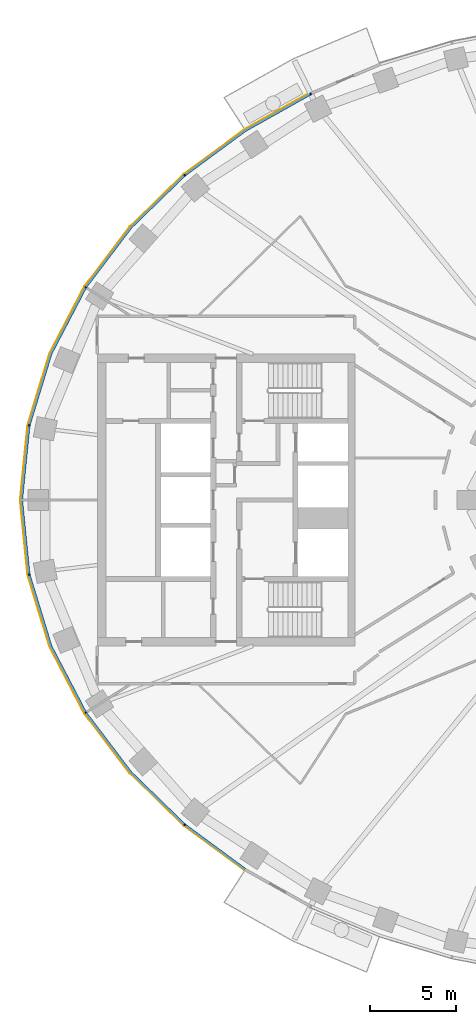
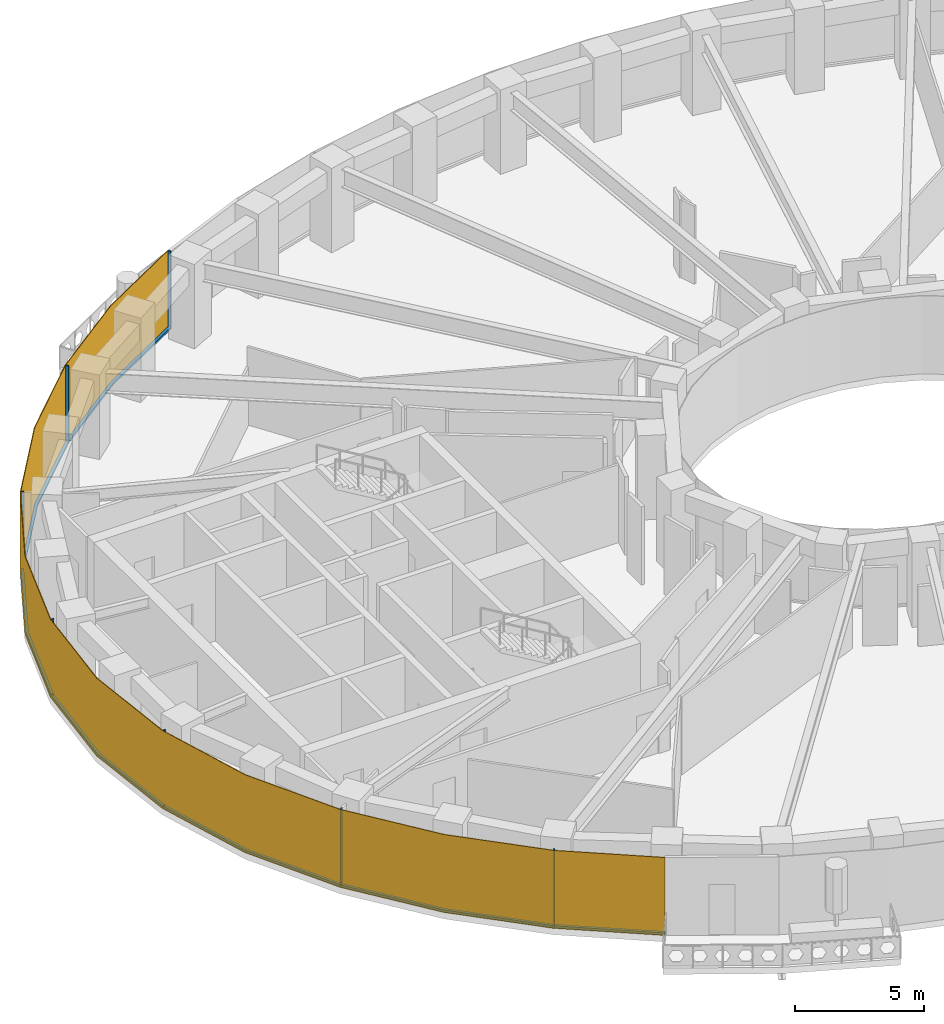
# One storey, part 8 of 15: 14 members, 1 curtain wall.
"""IFC4 building model written with IfcOpenShell, lengths in metres."""

from ifc_helpers import new_model, si_unit, direction, frame, origin, origin_2d, place, context, subcontext, project, spatial, polyline, rectangle, outline, extrude, material, layer, layer_set, material_profile, profile_set, type_object, element, aggregate, save


model = new_model("IFC4")

# Units and contexts
model_context = context("Model", 3, precision=1e-05, world=origin(), true_north=direction((0.0, 1.0)))
body_context = subcontext(model_context, "Body", "Model", "MODEL_VIEW")
ifc_project = project(units=[si_unit("LENGTHUNIT", "METRE"), si_unit("AREAUNIT", "SQUARE_METRE"), si_unit("VOLUMEUNIT", "CUBIC_METRE"), si_unit("PLANEANGLEUNIT", "RADIAN"), si_unit("MASSUNIT", "GRAM", prefix="KILO")], contexts=[model_context])

# Member
ifc_material_1 = material(Name="Aluminium 6063-T6 black anodised", Category="aluminium")
ifc_material_profile = material_profile(ifc_material_1, rectangle(XDim=0.1201171875, YDim=0.06005859375, at=origin_2d()), Name="120x60")
ifc_profile_set = profile_set([ifc_material_profile], Name="Aluminium 6063-T6 black anodised")
member_type_1 = type_object("IfcMemberType", Name="ENV-MULLION-A-120", PredefinedType="MULLION", material=ifc_profile_set)
site_placement = place(None, origin())
building_placement = place(site_placement, origin())
storey_placement = place(building_placement, frame((0.0, 0.0, 158.0)))
member_1_placement = place(storey_placement, frame((-19.06787109375, 23.6474609375, 0.0), z_axis=(0.0, 0.0, 1.0), x_axis=(0.439237769837, -0.898370848563, 0.0)))
member_1 = element("IfcMember", 1, at=member_1_placement, type_object=member_type_1, Name="Mullion A radial 17", PredefinedType="MULLION", context=body_context, shape_type="SweptSolid", body=[
    extrude(rectangle(XDim=0.1201171875, YDim=0.06005859375, at=origin_2d()), origin(), (0.0, 0.0, 1.0), 3.699951171875),
])

member_2_placement = place(storey_placement, frame((-26.403564453125, 18.9130859375, 0.0), z_axis=(0.0, 0.0, 1.0), x_axis=(0.646451313783, -0.762955240435, 0.0)))
member_2 = element("IfcMember", 2, at=member_2_placement, type_object=member_type_1, Name="Mullion A radial 19", PredefinedType="MULLION", context=body_context, shape_type="SweptSolid", body=[
    extrude(rectangle(XDim=0.1201171875, YDim=0.06005859375, at=origin_2d()), origin(), (0.0, 0.0, 1.0), 3.699951171875),
])

member_3_placement = place(storey_placement, frame((-32.177490234375, 12.385498046875, 0.0), z_axis=(0.0, 0.0, 1.0), x_axis=(0.844829880882, -0.53503501976, 0.0)))
member_3 = element("IfcMember", 3, at=member_3_placement, type_object=member_type_1, Name="Mullion A radial 21", PredefinedType="MULLION", context=body_context, shape_type="SweptSolid", body=[
    extrude(rectangle(XDim=0.1201171875, YDim=0.06005859375, at=origin_2d()), origin(), (0.0, 0.0, 1.0), 3.699951171875),
])

member_4_placement = place(storey_placement, frame((-35.470947265625, 4.340576171875, 0.0), z_axis=(0.0, 0.0, 1.0), x_axis=(0.980379083141, -0.19712141776, 0.0)))
member_4 = element("IfcMember", 4, at=member_4_placement, type_object=member_type_1, Name="Mullion A radial 23", PredefinedType="MULLION", context=body_context, shape_type="SweptSolid", body=[
    extrude(rectangle(XDim=0.1201171875, YDim=0.06005859375, at=origin_2d()), origin(), (0.0, 0.0, 1.0), 3.699951171875),
])

member_5_placement = place(storey_placement, frame((-35.470947265625, -4.340576171875, 0.0), z_axis=(0.0, 0.0, 1.0), x_axis=(0.980379083141, 0.19712141776, 0.0)))
member_5 = element("IfcMember", 5, at=member_5_placement, type_object=member_type_1, Name="Mullion A radial 25", PredefinedType="MULLION", context=body_context, shape_type="SweptSolid", body=[
    extrude(rectangle(XDim=0.1201171875, YDim=0.06005859375, at=origin_2d()), origin(), (0.0, 0.0, 1.0), 3.699951171875),
])

member_6_placement = place(storey_placement, frame((-32.177490234375, -12.385498046875, 0.0), z_axis=(0.0, 0.0, 1.0), x_axis=(0.844829880882, 0.53503501976, 0.0)))
member_6 = element("IfcMember", 6, at=member_6_placement, type_object=member_type_1, Name="Mullion A radial 27", PredefinedType="MULLION", context=body_context, shape_type="SweptSolid", body=[
    extrude(rectangle(XDim=0.1201171875, YDim=0.06005859375, at=origin_2d()), origin(), (0.0, 0.0, 1.0), 3.699951171875),
])

member_7_placement = place(storey_placement, frame((-26.403564453125, -18.9130859375, 0.0), z_axis=(0.0, 0.0, 1.0), x_axis=(0.646451313783, 0.762955240435, 0.0)))
member_7 = element("IfcMember", 7, at=member_7_placement, type_object=member_type_1, Name="Mullion A radial 29", PredefinedType="MULLION", context=body_context, shape_type="SweptSolid", body=[
    extrude(rectangle(XDim=0.1201171875, YDim=0.06005859375, at=origin_2d()), origin(), (0.0, 0.0, 1.0), 3.699951171875),
])

ifc_material_2 = material(Name="Aluminium 6063-T6 black anodised", Category="aluminium")
member_type_2 = type_object("IfcMemberType", Name="ENV-TRANSOM-A", PredefinedType="USERDEFINED", material=ifc_material_2)
member_8_placement = place(storey_placement, origin())
member_8 = element("IfcMember", 8, at=member_8_placement, type_object=member_type_2, Name="Transom A radial 17-19", ObjectType="TRANSOM", PredefinedType="USERDEFINED", context=body_context, shape_type="SweptSolid", body=[
    extrude(outline(polyline([(-19.11865234375, 23.687744140625), (-22.9150390625, 21.556884765625), (-26.419921875, 18.975341796875), (-26.342041015625, 18.883544921875), (-22.85009765625, 21.455810546875), (-19.06591796875, 23.57958984375), (-19.11865234375, 23.687744140625)])), origin(), (0.0, 0.0, 1.0), 0.10009765625),
])

member_9_placement = place(storey_placement, origin())
member_9 = element("IfcMember", 9, at=member_9_placement, type_object=member_type_2, Name="Transom A radial 19-21", ObjectType="TRANSOM", PredefinedType="USERDEFINED", context=body_context, shape_type="SweptSolid", body=[
    extrude(outline(polyline([(-26.46240234375, 18.939208984375), (-29.58349609375, 15.906982421875), (-32.211181640625, 12.43994140625), (-32.109375, 12.37548828125), (-29.493408203125, 15.8271484375), (-26.384765625, 18.847412109375), (-26.46240234375, 18.939208984375)])), origin(), (0.0, 0.0, 1.0), 0.10009765625),
])

member_10_placement = place(storey_placement, origin())
member_10 = element("IfcMember", 10, at=member_10_placement, type_object=member_type_2, Name="Transom A radial 21-23", ObjectType="TRANSOM", PredefinedType="USERDEFINED", context=body_context, shape_type="SweptSolid", body=[
    extrude(outline(polyline([(-32.240966796875, 12.392578125), (-34.251220703125, 8.53662109375), (-35.521484375, 4.379150390625), (-35.4033203125, 4.355224609375), (-34.139892578125, 8.490966796875), (-32.139404296875, 12.328369140625), (-32.240966796875, 12.392578125)])), origin(), (0.0, 0.0, 1.0), 0.10009765625),
])

member_11_placement = place(storey_placement, origin())
member_11 = element("IfcMember", 11, at=member_11_placement, type_object=member_type_2, Name="Transom A radial 23-25", ObjectType="TRANSOM", PredefinedType="USERDEFINED", context=body_context, shape_type="SweptSolid", body=[
    extrude(outline(polyline([(-35.532470703125, 4.324462890625), (-35.9677734375, 0.0), (-35.532470703125, -4.324462890625), (-35.414306640625, -4.30078125), (-35.84716796875, 0.0), (-35.414306640625, 4.30078125), (-35.532470703125, 4.324462890625)])), origin(), (0.0, 0.0, 1.0), 0.10009765625),
])

member_12_placement = place(storey_placement, origin())
member_12 = element("IfcMember", 12, at=member_12_placement, type_object=member_type_2, Name="Transom A radial 25-27", ObjectType="TRANSOM", PredefinedType="USERDEFINED", context=body_context, shape_type="SweptSolid", body=[
    extrude(outline(polyline([(-35.521484375, -4.379150390625), (-34.251220703125, -8.53662109375), (-32.240966796875, -12.392578125), (-32.139404296875, -12.328369140625), (-34.139892578125, -8.490966796875), (-35.4033203125, -4.355224609375), (-35.521484375, -4.379150390625)])), origin(), (0.0, 0.0, 1.0), 0.10009765625),
])

member_13_placement = place(storey_placement, origin())
member_13 = element("IfcMember", 13, at=member_13_placement, type_object=member_type_2, Name="Transom A radial 27-29", ObjectType="TRANSOM", PredefinedType="USERDEFINED", context=body_context, shape_type="SweptSolid", body=[
    extrude(outline(polyline([(-32.211181640625, -12.43994140625), (-29.58349609375, -15.906982421875), (-26.46240234375, -18.939208984375), (-26.384765625, -18.847412109375), (-29.493408203125, -15.8271484375), (-32.109375, -12.37548828125), (-32.211181640625, -12.43994140625)])), origin(), (0.0, 0.0, 1.0), 0.10009765625),
])

member_14_placement = place(storey_placement, origin())
member_14 = element("IfcMember", 14, at=member_14_placement, type_object=member_type_2, Name="Transom A radial 29-30", ObjectType="TRANSOM", PredefinedType="USERDEFINED", context=body_context, shape_type="SweptSolid", body=[
    extrude(outline(polyline([(-26.419921875, -18.975341796875), (-22.931396484375, -21.544921875), (-22.8662109375, -21.444091796875), (-26.342041015625, -18.883544921875), (-26.419921875, -18.975341796875)])), origin(), (0.0, 0.0, 1.0), 0.10009765625),
])

# Site, building, storey
site = spatial("IfcSite", under=ifc_project, at=site_placement, CompositionType="ELEMENT")
building = spatial("IfcBuilding", under=site, at=building_placement, Name="Noorbagh Ring Tower", CompositionType="ELEMENT")
storey = spatial("IfcBuildingStorey", under=building, at=storey_placement, Name="L36", CompositionType="ELEMENT", Elevation=158.0)

# Curtain wall
ifc_material_3 = material(Name="Glass dark tinted laminated", Category="glass")
ifc_layer = layer(ifc_material_3, 0.031982421875)
ifc_layer_set = layer_set([ifc_layer], Name="Glass dark tinted laminated")
curtain_wall_type = type_object("IfcCurtainWallType", Name="ENV-CW-A", PredefinedType="NOTDEFINED", material=ifc_layer_set)
curtain_wall_placement = place(storey_placement, origin())
curtain_wall = element("IfcCurtainWall", 15, at=curtain_wall_placement, inside=storey, type_object=curtain_wall_type, Name="Curtain wall A R17", PredefinedType="NOTDEFINED", context=body_context, shape_type="SweptSolid", body=[
    extrude(outline(polyline([(-19.125732421875, 23.720458984375), (-22.9326171875, 21.583740234375), (-26.463134765625, 18.9833984375), (-29.607666015625, 15.927978515625), (-32.255126953125, 12.434814453125), (-34.281005859375, 8.548828125), (-35.561279296875, 4.358642578125), (-36.0, 0.0), (-35.561279296875, -4.358642578125), (-34.281005859375, -8.548828125), (-32.255126953125, -12.434814453125), (-29.607666015625, -15.927978515625), (-26.463134765625, -18.9833984375), (-22.948486328125, -21.572021484375), (-22.931396484375, -21.544921875), (-26.4423828125, -18.958740234375), (-29.58349609375, -15.906982421875), (-32.22802734375, -12.41748046875), (-34.251220703125, -8.53662109375), (-35.529541015625, -4.352294921875), (-35.9677734375, 0.0), (-35.529541015625, 4.352294921875), (-34.251220703125, 8.53662109375), (-32.22802734375, 12.41748046875), (-29.58349609375, 15.906982421875), (-26.4423828125, 18.958740234375), (-22.9150390625, 21.556884765625), (-19.111572265625, 23.691650390625), (-19.125732421875, 23.720458984375)])), origin(), (0.0, 0.0, 1.0), 3.699951171875),
])

aggregate(curtain_wall, [member_1, member_2, member_3, member_4, member_5, member_6, member_7, member_8, member_9, member_10, member_11, member_12, member_13, member_14])

save(model, "model.ifc")
